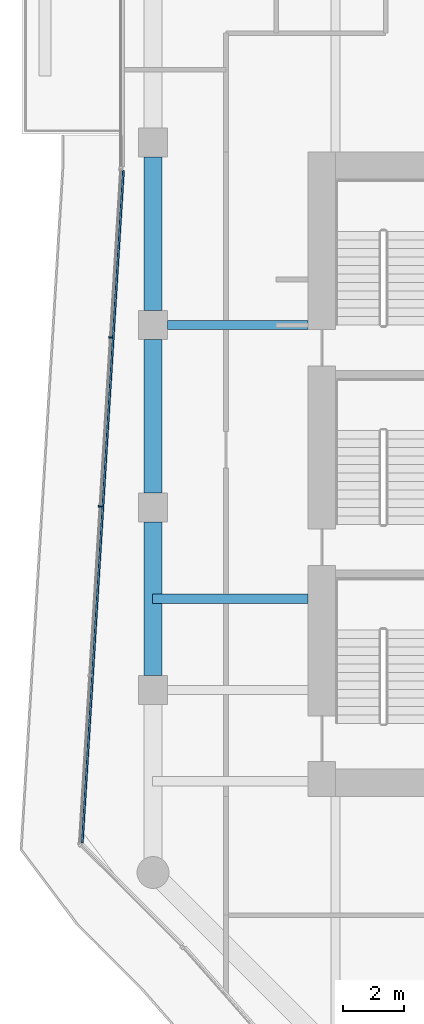
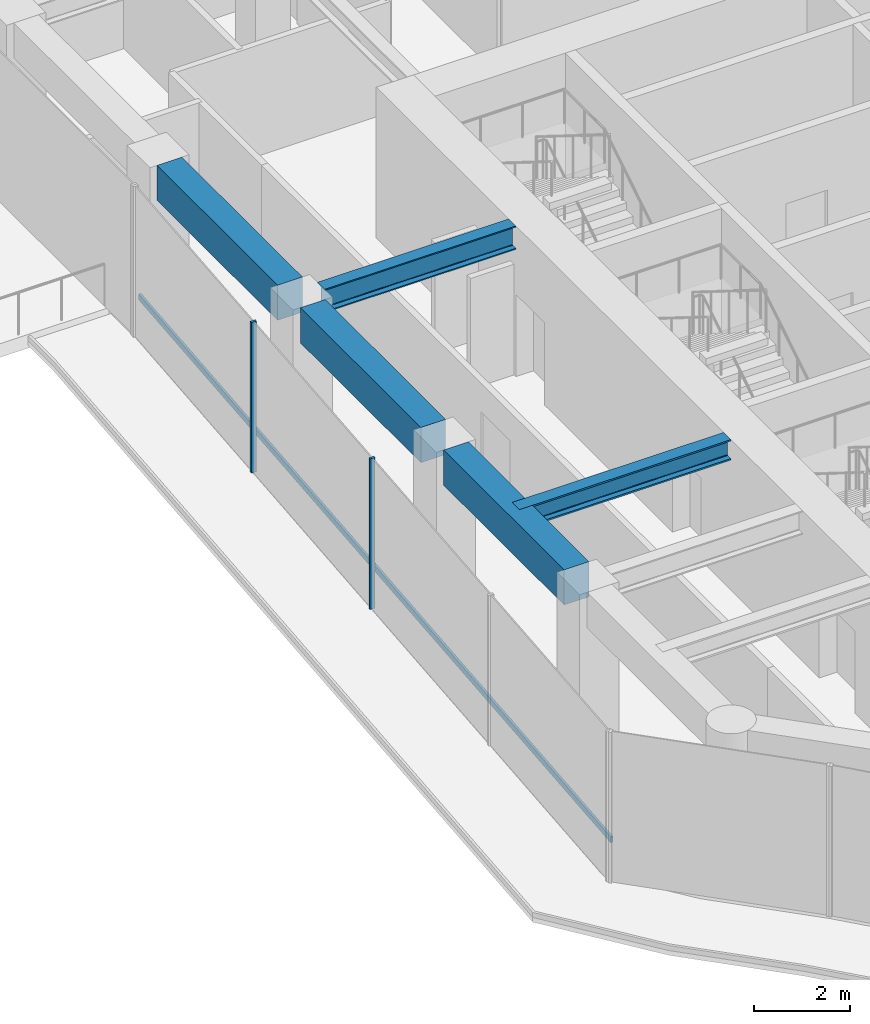
# One storey, part 4 of 27: 5 beams, 3 members, 1 element without a shape of its own.
"""IFC4 building model written with IfcOpenShell, lengths in metres."""

from ifc_helpers import new_model, si_unit, direction, frame, origin, origin_2d, place, context, subcontext, project, spatial, rectangle, i_section, extrude, material, layer, layer_set, material_profile, profile_set, type_object, element, aggregate, save


model = new_model("IFC4")

# Units and contexts
model_context = context("Model", 3, precision=1e-05, world=origin(), true_north=direction((0.0, 1.0)))
body_context = subcontext(model_context, "Body", "Model", "MODEL_VIEW")
ifc_project = project(units=[si_unit("LENGTHUNIT", "METRE"), si_unit("AREAUNIT", "SQUARE_METRE"), si_unit("VOLUMEUNIT", "CUBIC_METRE"), si_unit("PLANEANGLEUNIT", "RADIAN"), si_unit("MASSUNIT", "GRAM", prefix="KILO")], contexts=[model_context])

# Site, building, storey
site_placement = place(None, origin())
site = spatial("IfcSite", under=ifc_project, at=site_placement, CompositionType="ELEMENT")
building_placement = place(site_placement, origin())
building = spatial("IfcBuilding", under=site, at=building_placement, Name="Welwitschia Terrace Campus", CompositionType="ELEMENT")
storey_placement = place(building_placement, frame((0.0, 0.0, 37.39990234375)))
storey = spatial("IfcBuildingStorey", under=building, at=storey_placement, Name="L08", CompositionType="ELEMENT", Elevation=37.39990234375)

# Beam
ifc_material_1 = material(Name="Steel S355", Category="steel")
ifc_material_profile_1 = material_profile(ifc_material_1, i_section(OverallWidth=0.305908203125, OverallDepth=0.52392578125, WebThickness=0.02099609375, FlangeThickness=0.0400390625, FilletRadius=0.027099609375, at=origin_2d()))
ifc_profile_set_1 = profile_set([ifc_material_profile_1], Name="Steel S355")
beam_type_1 = type_object("IfcBeamType", Name="Interior girder HE 500 M", PredefinedType="BEAM", material=ifc_profile_set_1)
beam_1_placement = place(storey_placement, frame((-0.010009765625, 11.0, 3.588134765625), z_axis=(1.0, 0.0, 0.0), x_axis=(0.0, 1.0, 0.0)))
element("IfcBeam", 1, at=beam_1_placement, inside=storey, type_object=beam_type_1, Name="Girder GB2", PredefinedType="BEAM", context=body_context, shape_type="SweptSolid", body=[
    extrude(i_section(OverallWidth=0.305908203125, OverallDepth=0.52392578125, WebThickness=0.02099609375, FlangeThickness=0.0400390625, FilletRadius=0.027099609375, at=origin_2d()), origin(), (0.0, 0.0, 1.0), 5.109130859375),
])

# Curtain wall, members
ifc_material_2 = material(Name="Bronze anodised aluminium", Category="aluminium")
ifc_layer = layer(ifc_material_2, 0.1201171875)
ifc_layer_set = layer_set([ifc_layer], Name="Bronze anodised aluminium")
curtain_wall_type = type_object("IfcCurtainWallType", Name="Curtain wall CW2 tower 6000", PredefinedType="NOTDEFINED", material=ifc_layer_set)
curtain_wall_placement = place(storey_placement, origin())
curtain_wall = element("IfcCurtainWall", 2, at=curtain_wall_placement, inside=storey, type_object=curtain_wall_type, Name="CW L08.0.0", PredefinedType="NOTDEFINED")
ifc_material_3 = material(Name="Bronze anodised aluminium", Category="aluminium")
ifc_material_profile_2 = material_profile(ifc_material_3, rectangle(XDim=0.1201171875, YDim=0.06005859375, at=origin_2d()))
ifc_profile_set_2 = profile_set([ifc_material_profile_2], Name="Bronze anodised aluminium")
member_type_1 = type_object("IfcMemberType", Name="Mullion 60x120", PredefinedType="MULLION", material=ifc_profile_set_2)
member_1_placement = place(storey_placement, frame((-1.39794921875, 19.59326171875, 0.0), z_axis=(0.0, 0.0, 1.0), x_axis=(0.998134798422, -0.061048539535, 0.0)))
member_1 = element("IfcMember", 3, at=member_1_placement, type_object=member_type_1, Name="Mullion L08.0.0.1", PredefinedType="MULLION", context=body_context, shape_type="SweptSolid", body=[
    extrude(rectangle(XDim=0.1201171875, YDim=0.06005859375, at=origin_2d()), origin(), (0.0, 0.0, 1.0), 3.85009765625),
])
member_2_placement = place(storey_placement, frame((-1.73779296875, 14.035888671875, 0.0), z_axis=(0.0, 0.0, 1.0), x_axis=(0.998134798422, -0.061048539535, 0.0)))
member_2 = element("IfcMember", 4, at=member_2_placement, type_object=member_type_1, Name="Mullion L08.0.0.2", PredefinedType="MULLION", context=body_context, shape_type="SweptSolid", body=[
    extrude(rectangle(XDim=0.1201171875, YDim=0.06005859375, at=origin_2d()), origin(), (0.0, 0.0, 1.0), 3.85009765625),
])

# Beams
ifc_material_4 = material(Name="Steel S355", Category="steel")
ifc_material_profile_3 = material_profile(ifc_material_4, i_section(OverallWidth=0.300048828125, OverallDepth=0.60009765625, WebThickness=0.015380859375, FlangeThickness=0.030029296875, FilletRadius=0.027099609375, at=origin_2d()))
ifc_profile_set_3 = profile_set([ifc_material_profile_3], Name="Steel S355")
beam_type_2 = type_object("IfcBeamType", Name="Primary beam HE 600 B", PredefinedType="BEAM", material=ifc_profile_set_3)
beam_2_placement = place(storey_placement, frame((0.4755859375, 20.0, 3.550048828125), z_axis=(1.0, 0.0, 0.0), x_axis=(0.0, 1.0, 0.0)))
element("IfcBeam", 5, at=beam_2_placement, inside=storey, type_object=beam_type_2, Name="Primary beam PB2", PredefinedType="BEAM", context=body_context, shape_type="SweptSolid", body=[
    extrude(i_section(OverallWidth=0.300048828125, OverallDepth=0.60009765625, WebThickness=0.015380859375, FlangeThickness=0.030029296875, FilletRadius=0.027099609375, at=origin_2d()), origin(), (0.0, 0.0, 1.0), 4.62451171875),
])
ifc_material_5 = material(Name="Concrete C60/75", Category="concrete")
ifc_material_profile_4 = material_profile(ifc_material_5, rectangle(XDim=0.60009765625, YDim=0.89990234375, at=origin_2d()))
ifc_profile_set_4 = profile_set([ifc_material_profile_4], Name="Concrete C60/75")
beam_type_3 = type_object("IfcBeamType", Name="Ring spandrel 600x900", PredefinedType="SPANDREL", material=ifc_profile_set_4)
for number, where, z_axis, x_axis, name in (
    (6, (0.0, 25.5244140625, 3.400146484375), (0.0, -1.0, 0.0), (1.0, 0.0, 0.0), "Spandrel SP2"),
    (7, (0.0, 19.5244140625, 3.400146484375), (0.0, -1.0, 0.0), (1.0, 0.0, 0.0), "Spandrel SP2"),
    (8, (0.0, 13.5244140625, 3.400146484375), (0.0, -1.0, 0.0), (1.0, 0.0, 0.0), "Spandrel SP2"),
):
    element("IfcBeam", number, at=place(storey_placement, frame(where, z_axis=z_axis, x_axis=x_axis)), inside=storey, type_object=beam_type_3, Name=name, PredefinedType="SPANDREL", context=body_context, shape_type="SweptSolid", body=[
        extrude(rectangle(XDim=0.60009765625, YDim=0.89990234375, at=origin_2d()), origin(), (0.0, 0.0, 1.0), 5.048828125),
    ])

# Member
ifc_material_6 = material(Name="Bronze anodised aluminium", Category="aluminium")
ifc_material_profile_5 = material_profile(ifc_material_6, rectangle(XDim=0.06005859375, YDim=0.14990234375, at=origin_2d()))
ifc_profile_set_5 = profile_set([ifc_material_profile_5], Name="Bronze anodised aluminium")
member_type_2 = type_object("IfcMemberType", Name="Transom 60x150", PredefinedType="USERDEFINED", material=ifc_profile_set_5)
member_3_placement = place(storey_placement, frame((-0.971923828125, 25.085205078125, 1.0), z_axis=(-0.061049781666, -0.998134722449, 0.0), x_axis=(0.998134722449, -0.061049781666, 0.0)))
member_3 = element("IfcMember", 9, at=member_3_placement, type_object=member_type_2, Name="Transom L08.0.0", ObjectType="TRANSOM", PredefinedType="USERDEFINED", context=body_context, shape_type="SweptSolid", body=[
    extrude(rectangle(XDim=0.06005859375, YDim=0.14990234375, at=origin_2d()), origin(), (0.0, 0.0, 1.0), 22.150634765625),
])

aggregate(curtain_wall, [member_1, member_2, member_3])

save(model, "model.ifc")
